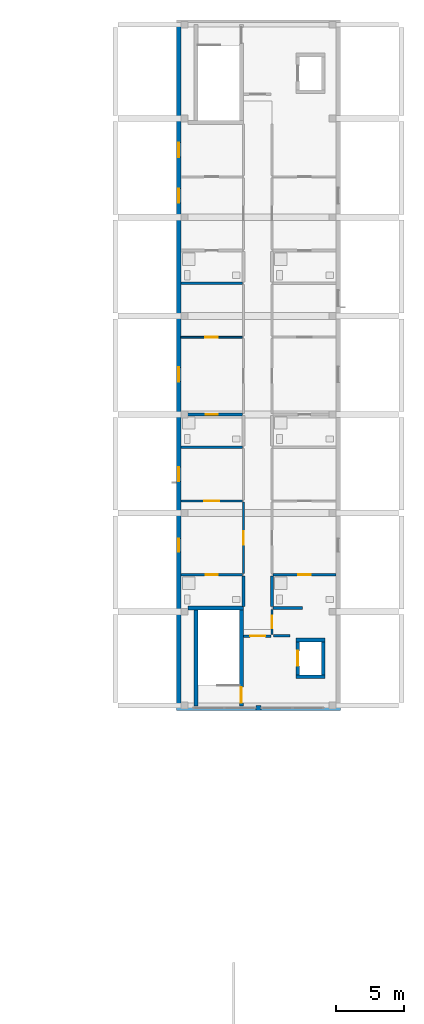
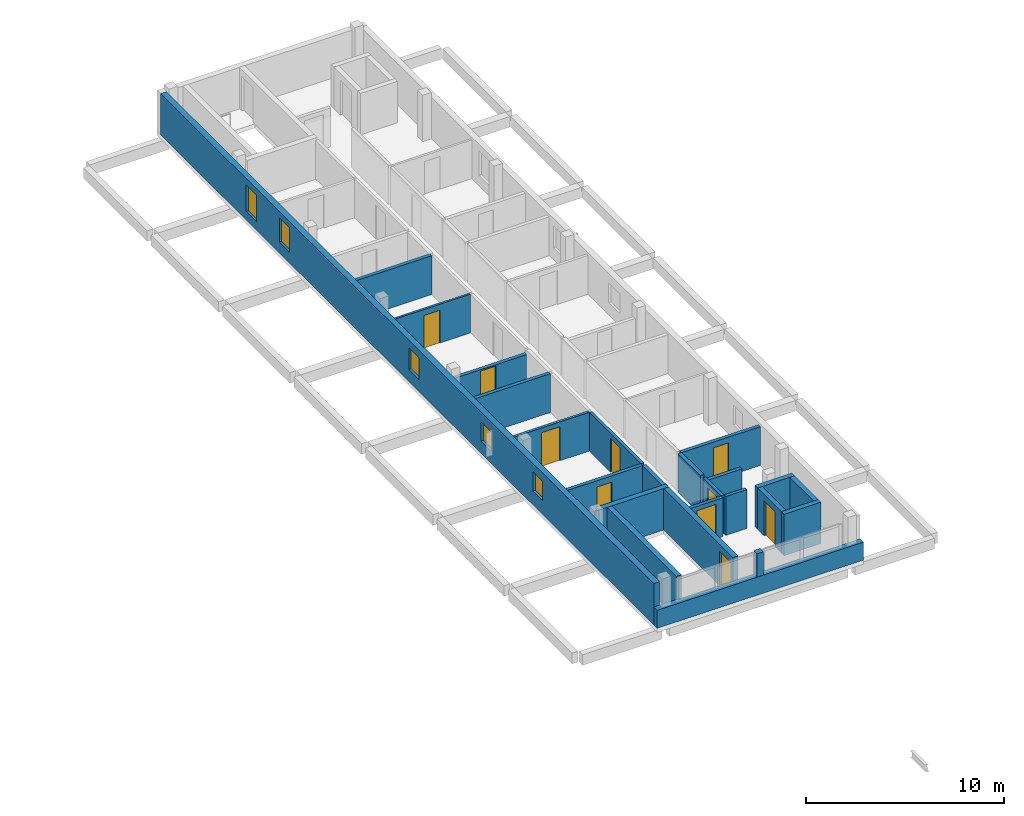
# One storey, part 8 of 16: 24 walls, 10 doors, 5 windows, 15 openings.
"""IFC4 building model written with IfcOpenShell, lengths in metres."""

from ifc_helpers import new_model, si_unit, derived_unit, direction, frame, frame_2d, origin, place, context, subcontext, project, spatial, rectangle, extrude, material, layer, layer_set, type_object, element, fill, save


model = new_model("IFC4")

# Units and contexts
model_context = context("Model", 3, precision=1e-05, world=origin(), true_north=direction((0.0, 1.0)))
body_context = subcontext(model_context, "Body", "Model", "MODEL_VIEW")
ifc_project = project(units=[si_unit("LENGTHUNIT", "METRE"), si_unit("AREAUNIT", "SQUARE_METRE"), si_unit("VOLUMEUNIT", "CUBIC_METRE"), si_unit("PLANEANGLEUNIT", "RADIAN"), si_unit("MASSUNIT", "GRAM", prefix="KILO"), derived_unit("THERMALTRANSMITTANCEUNIT", [(si_unit("MASSUNIT", "GRAM", prefix="KILO"), 1), (si_unit("TIMEUNIT", "SECOND"), -3), (si_unit("THERMODYNAMICTEMPERATUREUNIT", "KELVIN"), -1)])], contexts=[model_context])

# Site, building, storey
site_placement = place(None, origin())
site = spatial("IfcSite", under=ifc_project, at=site_placement, CompositionType="ELEMENT")
building_placement = place(site_placement, origin())
building = spatial("IfcBuilding", under=site, at=building_placement, Name="Ochrekiln Boulevard Commons", CompositionType="ELEMENT")
storey_placement = place(building_placement, frame((0.0, 0.0, 40.425048828125)))
storey = spatial("IfcBuildingStorey", under=building, at=storey_placement, Name="L12", CompositionType="ELEMENT", Elevation=40.425048828125)

# Wall, openings, windows
ifc_material_1 = material(Name="Iron-spot brown clinker brick masonry ASTM C216 Grade SW", Category="masonry")
ifc_layer_1 = layer(ifc_material_1, 0.340087890625)
ifc_layer_set_1 = layer_set([ifc_layer_1], Name="Iron-spot brown clinker brick masonry ASTM C216 Grade SW")
wall_type_1 = type_object("IfcWallType", Name="WL-EXT-IRON-340", PredefinedType="SOLIDWALL", material=ifc_layer_set_1)
wall_1_placement = place(storey_placement, frame((156.169921875, 68.739990234375, 0.0), z_axis=(0.0, 0.0, 1.0), x_axis=(0.0, 1.0, 0.0)))
wall_1 = element("IfcWall", 1, at=wall_1_placement, inside=storey, type_object=wall_type_1, Name="Block B L12 W Exterior Wall", PredefinedType="SOLIDWALL", context=body_context, shape_type="SweptSolid", body=[
    extrude(rectangle(XDim=49.719970703125, YDim=0.340087890625, at=frame_2d((24.85986328125, 0.0))), origin(), (0.0, 0.0, 1.0), 2.550048828125),
])
opening_1_placement = place(wall_1_placement, frame((11.239990234375, 0.0, 0.85009765625)))
opening_1 = element("IfcOpeningElement", 2, at=opening_1_placement, cuts=wall_1, Name="Opening W-01", PredefinedType="OPENING", context=body_context, shape_type="SweptSolid", body=[
    extrude(rectangle(XDim=0.949951171875, YDim=1.199951171875, at=frame_2d((0.47509765625, 0.60009765625))), frame((0.0, 0.179931640625, 0.0), z_axis=(0.0, -1.0, 0.0), x_axis=(1.0, 0.0, 0.0)), (0.0, 0.0, 1.0), 0.360107421875),
])
opening_2_placement = place(wall_1_placement, frame((16.3759765625, 0.0, 0.75)))
opening_2 = element("IfcOpeningElement", 3, at=opening_2_placement, cuts=wall_1, Name="Opening W-06", PredefinedType="OPENING", context=body_context, shape_type="SweptSolid", body=[
    extrude(rectangle(XDim=1.050048828125, YDim=1.199951171875, at=frame_2d((0.52490234375, 0.60009765625))), frame((0.0, 0.179931640625, 0.0), z_axis=(0.0, -1.0, 0.0), x_axis=(1.0, 0.0, 0.0)), (0.0, 0.0, 1.0), 0.360107421875),
])
opening_3_placement = place(wall_1_placement, frame((23.652099609375, 0.0, 0.75)))
opening_3 = element("IfcOpeningElement", 4, at=opening_3_placement, cuts=wall_1, Name="Opening W-07", PredefinedType="OPENING", context=body_context, shape_type="SweptSolid", body=[
    extrude(rectangle(XDim=1.050048828125, YDim=1.35009765625, at=frame_2d((0.52490234375, 0.675048828125))), frame((0.0, 0.179931640625, 0.0), z_axis=(0.0, -1.0, 0.0), x_axis=(1.0, 0.0, 0.0)), (0.0, 0.0, 1.0), 0.360107421875),
])
opening_4_placement = place(wall_1_placement, frame((36.705078125, 0.0, 0.6650390625)))
opening_4 = element("IfcOpeningElement", 5, at=opening_4_placement, cuts=wall_1, Name="Opening W-08", PredefinedType="OPENING", context=body_context, shape_type="SweptSolid", body=[
    extrude(rectangle(XDim=1.050048828125, YDim=1.5, at=frame_2d((0.52490234375, 0.75))), frame((0.0, 0.179931640625, 0.0), z_axis=(0.0, -1.0, 0.0), x_axis=(1.0, 0.0, 0.0)), (0.0, 0.0, 1.0), 0.360107421875),
])
opening_5_placement = place(wall_1_placement, frame((40.050048828125, 0.0, 0.514892578125)))
opening_5 = element("IfcOpeningElement", 6, at=opening_5_placement, cuts=wall_1, Name="Opening W-09", PredefinedType="OPENING", context=body_context, shape_type="SweptSolid", body=[
    extrude(rectangle(XDim=1.050048828125, YDim=1.64990234375, at=frame_2d((0.52490234375, 0.824951171875))), frame((0.0, 0.179931640625, 0.0), z_axis=(0.0, -1.0, 0.0), x_axis=(1.0, 0.0, 0.0)), (0.0, 0.0, 1.0), 0.360107421875),
])
ifc_material_2 = material(Name="Thermally broken aluminium-clad oak frame", Category="aluminium")
window_type_1 = type_object("IfcWindowType", Name="WIN-EXT-01", PartitioningType="SINGLE_PANEL", PredefinedType="WINDOW", material=ifc_material_2)
window_1_placement = place(opening_1_placement, origin())
window_1 = element("IfcWindow", 7, at=window_1_placement, inside=storey, type_object=window_type_1, Name="Block B L12 Punched Masonry Window W-01", OverallHeight=1.199951171875, OverallWidth=0.949951171875, PartitioningType="SINGLE_PANEL", PredefinedType="WINDOW", context=body_context, shape_type="SweptSolid", body=[
    extrude(rectangle(XDim=0.949951171875, YDim=1.199951171875, at=frame_2d((0.47509765625, 0.60009765625))), frame((0.0, 0.030029296875, 0.0), z_axis=(0.0, -1.0, 0.0), x_axis=(1.0, 0.0, 0.0)), (0.0, 0.0, 1.0), 0.06005859375),
])
fill(opening_1, window_1)
window_type_2 = type_object("IfcWindowType", Name="WIN-EXT-06", PartitioningType="SINGLE_PANEL", PredefinedType="WINDOW", material=ifc_material_2)
window_2_placement = place(opening_2_placement, origin())
window_2 = element("IfcWindow", 8, at=window_2_placement, inside=storey, type_object=window_type_2, Name="Block B L12 Punched Masonry Window W-06", OverallHeight=1.199951171875, OverallWidth=1.050048828125, PartitioningType="SINGLE_PANEL", PredefinedType="WINDOW", context=body_context, shape_type="SweptSolid", body=[
    extrude(rectangle(XDim=1.050048828125, YDim=1.199951171875, at=frame_2d((0.52490234375, 0.60009765625))), frame((0.0, 0.030029296875, 0.0), z_axis=(0.0, -1.0, 0.0), x_axis=(1.0, 0.0, 0.0)), (0.0, 0.0, 1.0), 0.06005859375),
])
fill(opening_2, window_2)
window_type_3 = type_object("IfcWindowType", Name="WIN-EXT-07", PartitioningType="SINGLE_PANEL", PredefinedType="WINDOW", material=ifc_material_2)
window_3_placement = place(opening_3_placement, origin())
window_3 = element("IfcWindow", 9, at=window_3_placement, inside=storey, type_object=window_type_3, Name="Block B L12 Punched Masonry Window W-07", OverallHeight=1.35009765625, OverallWidth=1.050048828125, PartitioningType="SINGLE_PANEL", PredefinedType="WINDOW", context=body_context, shape_type="SweptSolid", body=[
    extrude(rectangle(XDim=1.050048828125, YDim=1.35009765625, at=frame_2d((0.52490234375, 0.675048828125))), frame((0.0, 0.030029296875, 0.0), z_axis=(0.0, -1.0, 0.0), x_axis=(1.0, 0.0, 0.0)), (0.0, 0.0, 1.0), 0.06005859375),
])
fill(opening_3, window_3)
window_type_4 = type_object("IfcWindowType", Name="WIN-EXT-08", PartitioningType="SINGLE_PANEL", PredefinedType="WINDOW", material=ifc_material_2)
window_4_placement = place(opening_4_placement, origin())
window_4 = element("IfcWindow", 10, at=window_4_placement, inside=storey, type_object=window_type_4, Name="Block B L12 Punched Masonry Window W-08", OverallHeight=1.5, OverallWidth=1.050048828125, PartitioningType="SINGLE_PANEL", PredefinedType="WINDOW", context=body_context, shape_type="SweptSolid", body=[
    extrude(rectangle(XDim=1.050048828125, YDim=1.5, at=frame_2d((0.52490234375, 0.75))), frame((0.0, 0.030029296875, 0.0), z_axis=(0.0, -1.0, 0.0), x_axis=(1.0, 0.0, 0.0)), (0.0, 0.0, 1.0), 0.06005859375),
])
fill(opening_4, window_4)
window_type_5 = type_object("IfcWindowType", Name="WIN-EXT-09", PartitioningType="SINGLE_PANEL", PredefinedType="WINDOW", material=ifc_material_2)
window_5_placement = place(opening_5_placement, origin())
window_5 = element("IfcWindow", 11, at=window_5_placement, inside=storey, type_object=window_type_5, Name="Block B L12 Punched Masonry Window W-09", OverallHeight=1.64990234375, OverallWidth=1.050048828125, PartitioningType="SINGLE_PANEL", PredefinedType="WINDOW", context=body_context, shape_type="SweptSolid", body=[
    extrude(rectangle(XDim=1.050048828125, YDim=1.64990234375, at=frame_2d((0.52490234375, 0.824951171875))), frame((0.0, 0.030029296875, 0.0), z_axis=(0.0, -1.0, 0.0), x_axis=(1.0, 0.0, 0.0)), (0.0, 0.0, 1.0), 0.06005859375),
])
fill(opening_5, window_5)

# Walls
wall_2_placement = place(storey_placement, frame((156.0, 68.570068359375, 0.0), z_axis=(0.0, 0.0, 1.0), x_axis=(1.0, 0.0, 0.0)))
element("IfcWall", 12, at=wall_2_placement, inside=storey, type_object=wall_type_1, Name="Block B L12 Courtyard Gable Sill Wall", PredefinedType="SOLIDWALL", context=body_context, shape_type="SweptSolid", body=[
    extrude(rectangle(XDim=12.0, YDim=0.340087890625, at=frame_2d((6.0, 0.0))), origin(), (0.0, 0.0, 1.0), 1.10986328125),
])
wall_3_placement = place(storey_placement, frame((161.820068359375, 68.570068359375, 1.10986328125), z_axis=(0.0, 0.0, 1.0), x_axis=(1.0, 0.0, 0.0)))
element("IfcWall", 13, at=wall_3_placement, inside=storey, type_object=wall_type_1, Name="Block B L12 Courtyard Gable Mullion Pier", PredefinedType="SOLIDWALL", context=body_context, shape_type="SweptSolid", body=[
    extrude(rectangle(XDim=0.35986328125, YDim=0.340087890625, at=frame_2d((0.179931640625, 0.0))), origin(), (0.0, 0.0, 1.0), 1.440185546875),
])
ifc_material_3 = material(Name="Moisture-resistant cementitious tile backer wall")
ifc_layer_2 = layer(ifc_material_3, 0.199951171875)
ifc_layer_set_2 = layer_set([ifc_layer_2], Name="Moisture-resistant cementitious tile backer wall")
wall_type_2 = type_object("IfcWallType", Name="WL-PLM-200", PredefinedType="PLUMBINGWALL", material=ifc_layer_set_2)
wall_4_placement = place(storey_placement, frame((163.072998046875, 75.875, 0.0), z_axis=(0.0, 0.0, 1.0), x_axis=(1.0, 0.0, 0.0)))
element("IfcWall", 14, at=wall_4_placement, inside=storey, type_object=wall_type_2, Name="L12 Interior Wall W-PW200", PredefinedType="PLUMBINGWALL", context=body_context, shape_type="SweptSolid", body=[
    extrude(rectangle(XDim=2.126953125, YDim=0.199951171875, at=frame_2d((1.0634765625, 0.0))), origin(), (0.0, 0.0, 1.0), 2.119873046875),
])

# Wall, opening, door
wall_5_placement = place(storey_placement, frame((156.340087890625, 78.300048828125, 0.0), z_axis=(0.0, 0.0, 1.0), x_axis=(1.0, 0.0, 0.0)))
wall_5 = element("IfcWall", 15, at=wall_5_placement, inside=storey, type_object=wall_type_2, Name="L12 Interior Wall W-PW200", PredefinedType="PLUMBINGWALL", context=body_context, shape_type="SweptSolid", body=[
    extrude(rectangle(XDim=4.48681640625, YDim=0.199951171875, at=frame_2d((2.243408203125, 0.0))), origin(), (0.0, 0.0, 1.0), 2.389892578125),
])
opening_6_placement = place(wall_5_placement, frame((1.81494140625, 0.0, 0.0)))
opening_6 = element("IfcOpeningElement", 16, at=opening_6_placement, cuts=wall_5, Name="Opening D-L12-1323", PredefinedType="OPENING", context=body_context, shape_type="SweptSolid", body=[
    extrude(rectangle(XDim=0.860107421875, YDim=2.0, at=frame_2d((0.43017578125, 1.0))), frame((0.0, 0.10986328125, 0.0), z_axis=(0.0, -1.0, 0.0), x_axis=(1.0, 0.0, 0.0)), (0.0, 0.0, 1.0), 0.219970703125),
])
ifc_material_4 = material(Name="Solid core architectural oak door leaf")
door_type_1 = type_object("IfcDoorType", Name="DR-INT-BTH-086", OperationType="NOTDEFINED", PredefinedType="DOOR", material=ifc_material_4)
door_1_placement = place(opening_6_placement, frame((0.860107421875, 0.0, 0.0), z_axis=(0.0, 0.0, 1.0), x_axis=(-1.0, 0.0, 0.0)))
door_1 = element("IfcDoor", 17, at=door_1_placement, inside=storey, type_object=door_type_1, Name="L12 Interior Door to Loft Bathroom", OperationType="SINGLE_SWING_LEFT", OverallHeight=2.0, OverallWidth=0.860107421875, PredefinedType="DOOR", context=body_context, shape_type="SweptSolid", body=[
    extrude(rectangle(XDim=0.860107421875, YDim=2.0, at=frame_2d((0.43017578125, 1.0))), frame((0.0, 0.02490234375, 0.0), z_axis=(0.0, -1.0, 0.0), x_axis=(1.0, 0.0, 0.0)), (0.0, 0.0, 1.0), 0.050048828125),
])
fill(opening_6, door_1)

# Wall
wall_6_placement = place(storey_placement, frame((156.340087890625, 87.615966796875, 0.0), z_axis=(0.0, 0.0, 1.0), x_axis=(1.0, 0.0, 0.0)))
element("IfcWall", 18, at=wall_6_placement, inside=storey, type_object=wall_type_2, Name="L12 Interior Wall W-PW200", PredefinedType="PLUMBINGWALL", context=body_context, shape_type="SweptSolid", body=[
    extrude(rectangle(XDim=4.48681640625, YDim=0.199951171875, at=frame_2d((2.243408203125, 0.0))), origin(), (0.0, 0.0, 1.0), 2.389892578125),
])

# Wall, opening, door
wall_7_placement = place(storey_placement, frame((156.340087890625, 90.006103515625, 0.0), z_axis=(0.0, 0.0, 1.0), x_axis=(1.0, 0.0, 0.0)))
wall_7 = element("IfcWall", 19, at=wall_7_placement, inside=storey, type_object=wall_type_2, Name="L12 Interior Wall W-PW200", PredefinedType="PLUMBINGWALL", context=body_context, shape_type="SweptSolid", body=[
    extrude(rectangle(XDim=4.48681640625, YDim=0.199951171875, at=frame_2d((2.243408203125, 0.0))), origin(), (0.0, 0.0, 1.0), 2.119873046875),
])
opening_7_placement = place(wall_7_placement, frame((1.800048828125, 0.0, 0.0)))
opening_7 = element("IfcOpeningElement", 20, at=opening_7_placement, cuts=wall_7, Name="Opening D-L12-1325", PredefinedType="OPENING", context=body_context, shape_type="SweptSolid", body=[
    extrude(rectangle(XDim=0.889892578125, YDim=2.030029296875, at=frame_2d((0.44482421875, 1.01513671875))), frame((0.0, 0.10986328125, 0.0), z_axis=(0.0, -1.0, 0.0), x_axis=(1.0, 0.0, 0.0)), (0.0, 0.0, 1.0), 0.219970703125),
])
door_type_2 = type_object("IfcDoorType", Name="DR-INT-BTH-089", OperationType="NOTDEFINED", PredefinedType="DOOR", material=ifc_material_4)
door_2_placement = place(opening_7_placement, frame((0.889892578125, 0.0, 0.0), z_axis=(0.0, 0.0, 1.0), x_axis=(-1.0, 0.0, 0.0)))
door_2 = element("IfcDoor", 21, at=door_2_placement, inside=storey, type_object=door_type_2, Name="L12 Interior Door to Loft Bathroom", OperationType="SINGLE_SWING_LEFT", OverallHeight=2.030029296875, OverallWidth=0.889892578125, PredefinedType="DOOR", context=body_context, shape_type="SweptSolid", body=[
    extrude(rectangle(XDim=0.889892578125, YDim=2.030029296875, at=frame_2d((0.44482421875, 1.01513671875))), frame((0.0, 0.02490234375, 0.0), z_axis=(0.0, -1.0, 0.0), x_axis=(1.0, 0.0, 0.0)), (0.0, 0.0, 1.0), 0.050048828125),
])
fill(opening_7, door_2)

# Wall
wall_8_placement = place(storey_placement, frame((156.340087890625, 99.583984375, 0.0), z_axis=(0.0, 0.0, 1.0), x_axis=(1.0, 0.0, 0.0)))
element("IfcWall", 22, at=wall_8_placement, inside=storey, type_object=wall_type_2, Name="L12 Interior Wall W-PW200", PredefinedType="PLUMBINGWALL", context=body_context, shape_type="SweptSolid", body=[
    extrude(rectangle(XDim=4.48681640625, YDim=0.199951171875, at=frame_2d((2.243408203125, 0.0))), origin(), (0.0, 0.0, 1.0), 2.389892578125),
])

# Wall, opening, door
wall_9_placement = place(storey_placement, frame((163.072998046875, 78.300048828125, 0.0), z_axis=(0.0, 0.0, 1.0), x_axis=(1.0, 0.0, 0.0)))
wall_9 = element("IfcWall", 23, at=wall_9_placement, inside=storey, type_object=wall_type_2, Name="L12 Interior Wall W-PW200", PredefinedType="PLUMBINGWALL", context=body_context, shape_type="SweptSolid", body=[
    extrude(rectangle(XDim=4.5869140625, YDim=0.199951171875, at=frame_2d((2.29345703125, 0.0))), origin(), (0.0, 0.0, 1.0), 2.389892578125),
])
opening_8_placement = place(wall_9_placement, frame((1.846923828125, 0.0, 0.0)))
opening_8 = element("IfcOpeningElement", 24, at=opening_8_placement, cuts=wall_9, Name="Opening D-L12-1329", PredefinedType="OPENING", context=body_context, shape_type="SweptSolid", body=[
    extrude(rectangle(XDim=0.889892578125, YDim=2.030029296875, at=frame_2d((0.44482421875, 1.01513671875))), frame((0.0, 0.10986328125, 0.0), z_axis=(0.0, -1.0, 0.0), x_axis=(1.0, 0.0, 0.0)), (0.0, 0.0, 1.0), 0.219970703125),
])
door_3_placement = place(opening_8_placement, frame((0.889892578125, 0.0, 0.0), z_axis=(0.0, 0.0, 1.0), x_axis=(-1.0, 0.0, 0.0)))
door_3 = element("IfcDoor", 25, at=door_3_placement, inside=storey, type_object=door_type_2, Name="L12 Interior Door to Loft Bathroom", OperationType="SINGLE_SWING_LEFT", OverallHeight=2.030029296875, OverallWidth=0.889892578125, PredefinedType="DOOR", context=body_context, shape_type="SweptSolid", body=[
    extrude(rectangle(XDim=0.889892578125, YDim=2.030029296875, at=frame_2d((0.44482421875, 1.01513671875))), frame((0.0, 0.02490234375, 0.0), z_axis=(0.0, -1.0, 0.0), x_axis=(1.0, 0.0, 0.0)), (0.0, 0.0, 1.0), 0.050048828125),
])
fill(opening_8, door_3)

# Walls
ifc_layer_3 = layer(ifc_material_3, 0.219970703125)
ifc_layer_set_3 = layer_set([ifc_layer_3], Name="Moisture-resistant cementitious tile backer wall")
wall_type_3 = type_object("IfcWallType", Name="WL-PLM-220", PredefinedType="PLUMBINGWALL", material=ifc_layer_set_3)
wall_10_placement = place(storey_placement, frame((160.909912109375, 76.0, 0.0), z_axis=(0.0, 0.0, 1.0), x_axis=(0.0, 1.0, 0.0)))
element("IfcWall", 26, at=wall_10_placement, inside=storey, type_object=wall_type_3, Name="L12 Interior Wall W-PW220", PredefinedType="PLUMBINGWALL", context=body_context, shape_type="SweptSolid", body=[
    extrude(rectangle(XDim=2.219970703125, YDim=0.219970703125, at=frame_2d((1.10986328125, 0.0))), origin(), (0.0, 0.0, 1.0), 2.389892578125),
])
wall_11_placement = place(storey_placement, frame((162.989990234375, 75.97509765625, 0.0), z_axis=(0.0, 0.0, 1.0), x_axis=(0.0, 1.0, 0.0)))
element("IfcWall", 27, at=wall_11_placement, inside=storey, type_object=wall_type_3, Name="L12 Interior Wall W-PW220", PredefinedType="PLUMBINGWALL", context=body_context, shape_type="SweptSolid", body=[
    extrude(rectangle(XDim=2.244873046875, YDim=0.219970703125, at=frame_2d((1.12255859375, 0.0))), origin(), (0.0, 0.0, 1.0), 2.389892578125),
])

# Wall, opening, door
ifc_material_5 = material(Name="Fire-rated Type X gypsum board on steel studs", Category="steel")
ifc_layer_4 = layer(ifc_material_5, 0.1650390625)
ifc_layer_set_4 = layer_set([ifc_layer_4], Name="Fire-rated Type X gypsum board on steel studs")
wall_type_4 = type_object("IfcWallType", Name="WL-PT-CORR-165", PredefinedType="PARTITIONING", material=ifc_layer_set_4)
wall_12_placement = place(storey_placement, frame((162.989990234375, 73.929931640625, 0.0), z_axis=(0.0, 0.0, 1.0), x_axis=(0.0, 1.0, 0.0)))
wall_12 = element("IfcWall", 28, at=wall_12_placement, inside=storey, type_object=wall_type_4, Name="L12 Interior Wall W-PC165", PredefinedType="PARTITIONING", context=body_context, shape_type="SweptSolid", body=[
    extrude(rectangle(XDim=1.820068359375, YDim=0.1650390625, at=frame_2d((0.91015625, 0.0))), origin(), (0.0, 0.0, 1.0), 2.389892578125),
])
opening_9_placement = place(wall_12_placement, frame((0.4599609375, 0.0, 0.0)))
opening_9 = element("IfcOpeningElement", 29, at=opening_9_placement, cuts=wall_12, Name="Opening D-L12-1316", PredefinedType="OPENING", context=body_context, shape_type="SweptSolid", body=[
    extrude(rectangle(XDim=0.919921875, YDim=2.0400390625, at=frame_2d((0.4599609375, 1.02001953125))), frame((0.0, 0.092529296875, 0.0), z_axis=(0.0, -1.0, 0.0), x_axis=(1.0, 0.0, 0.0)), (0.0, 0.0, 1.0), 0.18505859375),
])
ifc_material_6 = material(Name="Hollow metal fire-rated steel door assembly", Category="steel")
door_type_3 = type_object("IfcDoorType", Name="DR-SRV-90", OperationType="NOTDEFINED", PredefinedType="DOOR", material=ifc_material_6)
door_4_placement = place(opening_9_placement, frame((0.919921875, 0.0, 0.0), z_axis=(0.0, 0.0, 1.0), x_axis=(-1.0, 0.0, 0.0)))
door_4 = element("IfcDoor", 30, at=door_4_placement, inside=storey, type_object=door_type_3, Name="L12 Interior Door to Hydronic and Electrical Riser Room", OperationType="SINGLE_SWING_RIGHT", OverallHeight=2.0400390625, OverallWidth=0.919921875, PredefinedType="DOOR", context=body_context, shape_type="SweptSolid", body=[
    extrude(rectangle(XDim=0.919921875, YDim=2.0400390625, at=frame_2d((0.4599609375, 1.02001953125))), frame((0.0, 0.02490234375, 0.0), z_axis=(0.0, -1.0, 0.0), x_axis=(1.0, 0.0, 0.0)), (0.0, 0.0, 1.0), 0.050048828125),
])
fill(opening_9, door_4)

wall_13_placement = place(storey_placement, frame((160.909912109375, 78.3798828125, 0.0), z_axis=(0.0, 0.0, 1.0), x_axis=(0.0, 1.0, 0.0)))
wall_13 = element("IfcWall", 31, at=wall_13_placement, inside=storey, type_object=wall_type_4, Name="L12 Interior Wall W-PC165", PredefinedType="PARTITIONING", context=body_context, shape_type="SweptSolid", body=[
    extrude(rectangle(XDim=5.216064453125, YDim=0.1650390625, at=frame_2d((2.60791015625, 0.0))), origin(), (0.0, 0.0, 1.0), 2.389892578125),
])
opening_10_placement = place(wall_13_placement, frame((2.117919921875, 0.0, 0.0)))
opening_10 = element("IfcOpeningElement", 32, at=opening_10_placement, cuts=wall_13, Name="Opening D-L12-1317", PredefinedType="OPENING", context=body_context, shape_type="SweptSolid", body=[
    extrude(rectangle(XDim=0.97998046875, YDim=2.080078125, at=frame_2d((0.489990234375, 1.0400390625))), frame((0.0, 0.092529296875, 0.0), z_axis=(0.0, -1.0, 0.0), x_axis=(1.0, 0.0, 0.0)), (0.0, 0.0, 1.0), 0.18505859375),
])
door_type_4 = type_object("IfcDoorType", Name="DR-APT-60", OperationType="NOTDEFINED", PredefinedType="DOOR", material=ifc_material_4)
door_5_placement = place(opening_10_placement, origin())
door_5 = element("IfcDoor", 33, at=door_5_placement, inside=storey, type_object=door_type_4, Name="L12 Interior Door to Loft Living Room", OperationType="SINGLE_SWING_LEFT", OverallHeight=2.080078125, OverallWidth=0.97998046875, PredefinedType="DOOR", context=body_context, shape_type="SweptSolid", body=[
    extrude(rectangle(XDim=0.97998046875, YDim=2.080078125, at=frame_2d((0.489990234375, 1.0400390625))), frame((0.0, 0.02490234375, 0.0), z_axis=(0.0, -1.0, 0.0), x_axis=(1.0, 0.0, 0.0)), (0.0, 0.0, 1.0), 0.050048828125),
])
fill(opening_10, door_5)

# Wall
ifc_layer_5 = layer(ifc_material_5, 0.18994140625)
ifc_layer_set_5 = layer_set([ifc_layer_5], Name="Fire-rated Type X gypsum board on steel studs")
wall_type_5 = type_object("IfcWallType", Name="WL-PT-LBY-190", PredefinedType="PARTITIONING", material=ifc_layer_set_5)
wall_14_placement = place(storey_placement, frame((163.080078125, 73.8349609375, 0.0), z_axis=(0.0, 0.0, 1.0), x_axis=(1.0, 0.0, 0.0)))
element("IfcWall", 34, at=wall_14_placement, inside=storey, type_object=wall_type_5, Name="L12 Interior Wall W-PL190", PredefinedType="PARTITIONING", context=body_context, shape_type="SweptSolid", body=[
    extrude(rectangle(XDim=1.219970703125, YDim=0.18994140625, at=frame_2d((0.60986328125, 0.0))), origin(), (0.0, 0.0, 1.0), 2.389892578125),
])

# Wall, opening, door
wall_15_placement = place(storey_placement, frame((160.89990234375, 73.820068359375, 0.0), z_axis=(0.0, 0.0, 1.0), x_axis=(1.0, 0.0, 0.0)))
wall_15 = element("IfcWall", 35, at=wall_15_placement, inside=storey, type_object=wall_type_5, Name="L12 Interior Wall W-PL190", PredefinedType="PARTITIONING", context=body_context, shape_type="SweptSolid", body=[
    extrude(rectangle(XDim=2.0, YDim=0.18994140625, at=frame_2d((1.0, 0.0))), origin(), (0.0, 0.0, 1.0), 2.389892578125),
])
opening_11_placement = place(wall_15_placement, frame((0.5, 0.0, 0.0)))
opening_11 = element("IfcOpeningElement", 36, at=opening_11_placement, cuts=wall_15, Name="Opening D-L12-1314", PredefinedType="OPENING", context=body_context, shape_type="SweptSolid", body=[
    extrude(rectangle(XDim=1.10009765625, YDim=2.1201171875, at=frame_2d((0.550048828125, 1.06005859375))), frame((0.0, 0.10498046875, 0.0), z_axis=(0.0, -1.0, 0.0), x_axis=(1.0, 0.0, 0.0)), (0.0, 0.0, 1.0), 0.2099609375),
])
door_type_5 = type_object("IfcDoorType", Name="DR-LOBBY-60", OperationType="NOTDEFINED", PredefinedType="DOOR", material=ifc_material_6)
door_6_placement = place(opening_11_placement, frame((1.10009765625, 0.0, 0.0), z_axis=(0.0, 0.0, 1.0), x_axis=(-1.0, 0.0, 0.0)))
door_6 = element("IfcDoor", 37, at=door_6_placement, inside=storey, type_object=door_type_5, Name="L12 Interior Door to Fire Service Access Elevator Lobby", OperationType="SINGLE_SWING_RIGHT", OverallHeight=2.1201171875, OverallWidth=1.10009765625, PredefinedType="DOOR", context=body_context, shape_type="SweptSolid", body=[
    extrude(rectangle(XDim=1.10009765625, YDim=2.1201171875, at=frame_2d((0.550048828125, 1.06005859375))), frame((0.0, 0.02490234375, 0.0), z_axis=(0.0, -1.0, 0.0), x_axis=(1.0, 0.0, 0.0)), (0.0, 0.0, 1.0), 0.050048828125),
])
fill(opening_11, door_6)

ifc_layer_6 = layer(ifc_material_5, 0.1201171875)
ifc_layer_set_6 = layer_set([ifc_layer_6], Name="Fire-rated Type X gypsum board on steel studs")
wall_type_6 = type_object("IfcWallType", Name="WL-PT-LGT-120", PredefinedType="PARTITIONING", material=ifc_layer_set_6)
wall_16_placement = place(storey_placement, frame((156.340087890625, 95.64404296875, 0.0), z_axis=(0.0, 0.0, 1.0), x_axis=(1.0, 0.0, 0.0)))
wall_16 = element("IfcWall", 38, at=wall_16_placement, inside=storey, type_object=wall_type_6, Name="L12 Interior Wall W-PL120", PredefinedType="PARTITIONING", context=body_context, shape_type="SweptSolid", body=[
    extrude(rectangle(XDim=4.48681640625, YDim=0.1201171875, at=frame_2d((2.243408203125, 0.0))), origin(), (0.0, 0.0, 1.0), 2.389892578125),
])
opening_12_placement = place(wall_16_placement, frame((1.784912109375, 0.0, 0.0)))
opening_12 = element("IfcOpeningElement", 39, at=opening_12_placement, cuts=wall_16, Name="Opening D-L12-1326", PredefinedType="OPENING", context=body_context, shape_type="SweptSolid", body=[
    extrude(rectangle(XDim=0.919921875, YDim=2.02001953125, at=frame_2d((0.4599609375, 1.010009765625))), frame((0.0, 0.070068359375, 0.0), z_axis=(0.0, -1.0, 0.0), x_axis=(1.0, 0.0, 0.0)), (0.0, 0.0, 1.0), 0.14013671875),
])
door_type_6 = type_object("IfcDoorType", Name="DR-INT-KIT-092", OperationType="NOTDEFINED", PredefinedType="DOOR", material=ifc_material_4)
door_7_placement = place(opening_12_placement, origin())
door_7 = element("IfcDoor", 40, at=door_7_placement, inside=storey, type_object=door_type_6, Name="L12 Interior Door to Loft Kitchen", OperationType="SINGLE_SWING_RIGHT", OverallHeight=2.02001953125, OverallWidth=0.919921875, PredefinedType="DOOR", context=body_context, shape_type="SweptSolid", body=[
    extrude(rectangle(XDim=0.919921875, YDim=2.02001953125, at=frame_2d((0.4599609375, 1.010009765625))), frame((0.0, 0.02490234375, 0.0), z_axis=(0.0, -1.0, 0.0), x_axis=(1.0, 0.0, 0.0)), (0.0, 0.0, 1.0), 0.050048828125),
])
fill(opening_12, door_7)

ifc_layer_7 = layer(ifc_material_5, 0.14990234375)
ifc_layer_set_7 = layer_set([ifc_layer_7], Name="Fire-rated Type X gypsum board on steel studs")
wall_type_7 = type_object("IfcWallType", Name="WL-PT-STD-150", PredefinedType="PARTITIONING", material=ifc_layer_set_7)
wall_17_placement = place(storey_placement, frame((156.340087890625, 83.676025390625, 0.0), z_axis=(0.0, 0.0, 1.0), x_axis=(1.0, 0.0, 0.0)))
wall_17 = element("IfcWall", 41, at=wall_17_placement, inside=storey, type_object=wall_type_7, Name="L12 Interior Wall W-PS150", PredefinedType="PARTITIONING", context=body_context, shape_type="SweptSolid", body=[
    extrude(rectangle(XDim=4.48681640625, YDim=0.14990234375, at=frame_2d((2.243408203125, 0.0))), origin(), (0.0, 0.0, 1.0), 2.389892578125),
])
opening_13_placement = place(wall_17_placement, frame((1.705078125, 0.0, 0.0)))
opening_13 = element("IfcOpeningElement", 42, at=opening_13_placement, cuts=wall_17, Name="Opening D-L12-1324", PredefinedType="OPENING", context=body_context, shape_type="SweptSolid", body=[
    extrude(rectangle(XDim=1.080078125, YDim=2.10009765625, at=frame_2d((0.5400390625, 1.050048828125))), frame((0.0, 0.0849609375, 0.0), z_axis=(0.0, -1.0, 0.0), x_axis=(1.0, 0.0, 0.0)), (0.0, 0.0, 1.0), 0.169921875),
])
door_type_7 = type_object("IfcDoorType", Name="DR-INT-BED-108", OperationType="NOTDEFINED", PredefinedType="DOOR", material=ifc_material_4)
door_8_placement = place(opening_13_placement, origin())
door_8 = element("IfcDoor", 43, at=door_8_placement, inside=storey, type_object=door_type_7, Name="L12 Interior Door to Loft Bedroom", OperationType="SINGLE_SWING_RIGHT", OverallHeight=2.10009765625, OverallWidth=1.080078125, PredefinedType="DOOR", context=body_context, shape_type="SweptSolid", body=[
    extrude(rectangle(XDim=1.080078125, YDim=2.10009765625, at=frame_2d((0.5400390625, 1.050048828125))), frame((0.0, 0.02490234375, 0.0), z_axis=(0.0, -1.0, 0.0), x_axis=(1.0, 0.0, 0.0)), (0.0, 0.0, 1.0), 0.050048828125),
])
fill(opening_13, door_8)

# Walls
ifc_material_7 = material(Name="Concrete C40/50", Category="concrete")
ifc_layer_8 = layer(ifc_material_7, 0.27490234375)
ifc_layer_set_8 = layer_set([ifc_layer_8], Name="Concrete C40/50")
wall_type_8 = type_object("IfcWallType", Name="WL-SH-275", PredefinedType="SHEAR", material=ifc_layer_set_8)
for number, where, z_axis, x_axis, name in (
    (44, (164.72509765625, 70.862548828125, 0.0), (0.0, 0.0, 1.0), (1.0, 0.0, 0.0), "Elevator FF-B1 L12 Hoistway Shear Wall"),
    (45, (164.72509765625, 73.53759765625, 0.0), (0.0, 0.0, 1.0), (1.0, 0.0, 0.0), "Elevator FF-B1 L12 Hoistway Shear Wall"),
):
    element("IfcWall", number, at=place(storey_placement, frame(where, z_axis=z_axis, x_axis=x_axis)), inside=storey, type_object=wall_type_8, Name=name, PredefinedType="SHEAR", context=body_context, shape_type="SweptSolid", body=[
        extrude(rectangle(XDim=2.14990234375, YDim=0.27490234375, at=frame_2d((1.074951171875, 0.0))), origin(), (0.0, 0.0, 1.0), 2.550048828125),
    ])

# Wall, opening, door
wall_18_placement = place(storey_placement, frame((164.862548828125, 71.0, 0.0), z_axis=(0.0, 0.0, 1.0), x_axis=(0.0, 1.0, 0.0)))
wall_18 = element("IfcWall", 46, at=wall_18_placement, inside=storey, type_object=wall_type_8, Name="Elevator FF-B1 L12 Hoistway Shear Wall", PredefinedType="SHEAR", context=body_context, shape_type="SweptSolid", body=[
    extrude(rectangle(XDim=2.39990234375, YDim=0.27490234375, at=frame_2d((1.199951171875, 0.0))), origin(), (0.0, 0.0, 1.0), 2.550048828125),
])
opening_14_placement = place(wall_18_placement, frame((0.64990234375, 0.0, 0.0)))
opening_14 = element("IfcOpeningElement", 47, at=opening_14_placement, cuts=wall_18, Name="Opening LD-FF-B1-L12", PredefinedType="OPENING", context=body_context, shape_type="SweptSolid", body=[
    extrude(rectangle(XDim=1.10009765625, YDim=2.14990234375, at=frame_2d((0.550048828125, 1.074951171875))), frame((0.0, 0.1474609375, 0.0), z_axis=(0.0, -1.0, 0.0), x_axis=(1.0, 0.0, 0.0)), (0.0, 0.0, 1.0), 0.294921875),
])
ifc_material_8 = material(Name="Brushed stainless steel 316 elevator cab and doors", Category="steel")
door_type_8 = type_object("IfcDoorType", Name="DR-LIFT-LD90", OperationType="SLIDING_TO_LEFT", PredefinedType="DOOR", material=ifc_material_8)
door_9_placement = place(opening_14_placement, origin())
door_9 = element("IfcDoor", 48, at=door_9_placement, inside=storey, type_object=door_type_8, Name="Elevator FF-B1 L12 Sliding Landing Door LD-FF-B1-L12", OperationType="SLIDING_TO_LEFT", OverallHeight=2.14990234375, OverallWidth=1.10009765625, PredefinedType="DOOR", context=body_context, shape_type="SweptSolid", body=[
    extrude(rectangle(XDim=1.10009765625, YDim=2.14990234375, at=frame_2d((0.550048828125, 1.074951171875))), frame((0.0, 0.02490234375, 0.0), z_axis=(0.0, -1.0, 0.0), x_axis=(1.0, 0.0, 0.0)), (0.0, 0.0, 1.0), 0.050048828125),
])
fill(opening_14, door_9)

# Walls
wall_19_placement = place(storey_placement, frame((166.737548828125, 71.0, 0.0), z_axis=(0.0, 0.0, 1.0), x_axis=(0.0, 1.0, 0.0)))
element("IfcWall", 49, at=wall_19_placement, inside=storey, type_object=wall_type_8, Name="Elevator FF-B1 L12 Hoistway Shear Wall", PredefinedType="SHEAR", context=body_context, shape_type="SweptSolid", body=[
    extrude(rectangle(XDim=2.39990234375, YDim=0.27490234375, at=frame_2d((1.199951171875, 0.0))), origin(), (0.0, 0.0, 1.0), 2.550048828125),
])
ifc_layer_9 = layer(ifc_material_7, 0.300048828125)
ifc_layer_set_9 = layer_set([ifc_layer_9], Name="Concrete C40/50")
wall_type_9 = type_object("IfcWallType", Name="WL-SH-300", PredefinedType="SHEAR", material=ifc_layer_set_9)
wall_20_placement = place(storey_placement, frame((156.85009765625, 75.8701171875, 0.0), z_axis=(0.0, 0.0, 1.0), x_axis=(1.0, 0.0, 0.0)))
element("IfcWall", 50, at=wall_20_placement, inside=storey, type_object=wall_type_9, Name="Stair ST-B1 L12 Core Shear Wall N", PredefinedType="SHEAR", context=body_context, shape_type="SweptSolid", body=[
    extrude(rectangle(XDim=4.0498046875, YDim=0.300048828125, at=frame_2d((2.02490234375, 0.0))), origin(), (0.0, 0.0, 1.0), 2.550048828125),
])
wall_21_placement = place(storey_placement, frame((157.449951171875, 68.719970703125, 0.0), z_axis=(0.0, 0.0, 1.0), x_axis=(0.0, 1.0, 0.0)))
element("IfcWall", 51, at=wall_21_placement, inside=storey, type_object=wall_type_9, Name="Stair ST-B1 L12 Core Shear Wall W", PredefinedType="SHEAR", context=body_context, shape_type="SweptSolid", body=[
    extrude(rectangle(XDim=7.0, YDim=0.300048828125, at=frame_2d((3.5, 0.0))), origin(), (0.0, 0.0, 1.0), 2.550048828125),
])

# Wall, opening, door
wall_22_placement = place(storey_placement, frame((160.75, 68.719970703125, 0.0), z_axis=(0.0, 0.0, 1.0), x_axis=(0.0, 1.0, 0.0)))
wall_22 = element("IfcWall", 52, at=wall_22_placement, inside=storey, type_object=wall_type_9, Name="Stair ST-B1 L12 Core Shear Wall E", PredefinedType="SHEAR", context=body_context, shape_type="SweptSolid", body=[
    extrude(rectangle(XDim=7.0, YDim=0.300048828125, at=frame_2d((3.5, 0.0))), origin(), (0.0, 0.0, 1.0), 2.550048828125),
])
opening_15_placement = place(wall_22_placement, frame((0.22509765625, 0.0, 0.0)))
opening_15 = element("IfcOpeningElement", 53, at=opening_15_placement, cuts=wall_22, Name="Opening D-L12-ST-B1", PredefinedType="OPENING", context=body_context, shape_type="SweptSolid", body=[
    extrude(rectangle(XDim=1.14990234375, YDim=2.1201171875, at=frame_2d((0.574951171875, 1.06005859375))), frame((0.0, 0.159912109375, 0.0), z_axis=(0.0, -1.0, 0.0), x_axis=(1.0, 0.0, 0.0)), (0.0, 0.0, 1.0), 0.320068359375),
])
door_type_9 = type_object("IfcDoorType", Name="DR-STAIR-90", OperationType="NOTDEFINED", PredefinedType="DOOR", material=ifc_material_6)
door_10_placement = place(opening_15_placement, origin())
door_10 = element("IfcDoor", 54, at=door_10_placement, inside=storey, type_object=door_type_9, Name="Enclosed Exit Stair ST-B1 L12 Rated Door", OperationType="SINGLE_SWING_RIGHT", OverallHeight=2.1201171875, OverallWidth=1.14990234375, PredefinedType="DOOR", context=body_context, shape_type="SweptSolid", body=[
    extrude(rectangle(XDim=1.14990234375, YDim=2.1201171875, at=frame_2d((0.574951171875, 1.06005859375))), frame((0.0, 0.02490234375, 0.0), z_axis=(0.0, -1.0, 0.0), x_axis=(1.0, 0.0, 0.0)), (0.0, 0.0, 1.0), 0.050048828125),
])
fill(opening_15, door_10)

save(model, "model.ifc")
